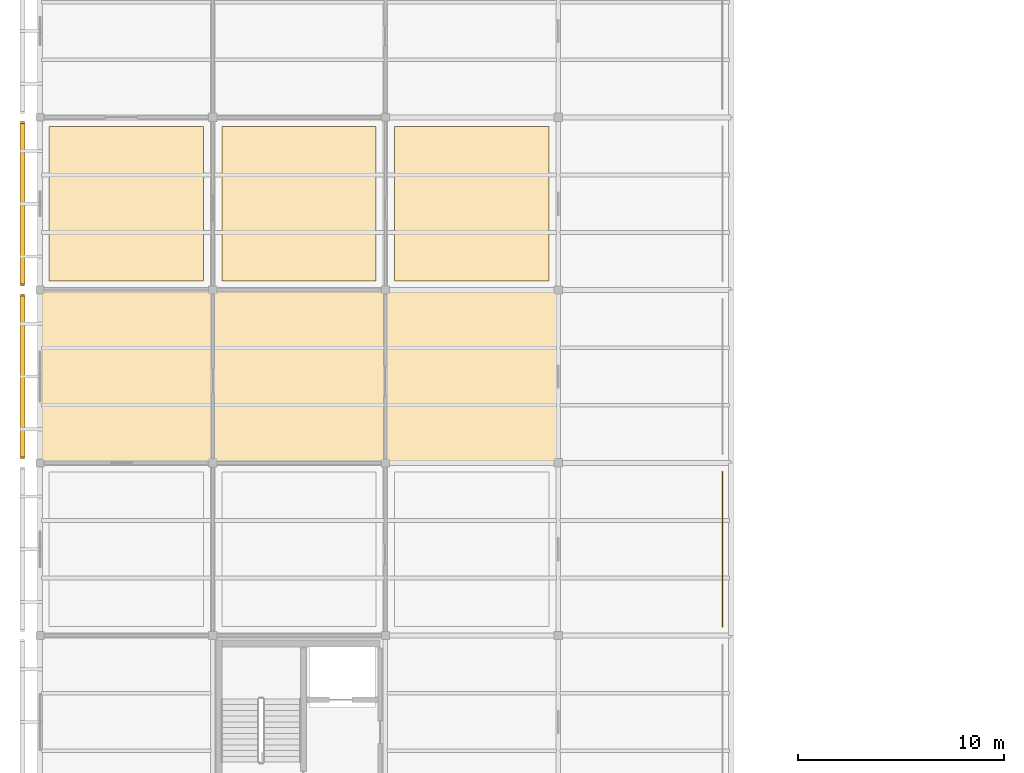
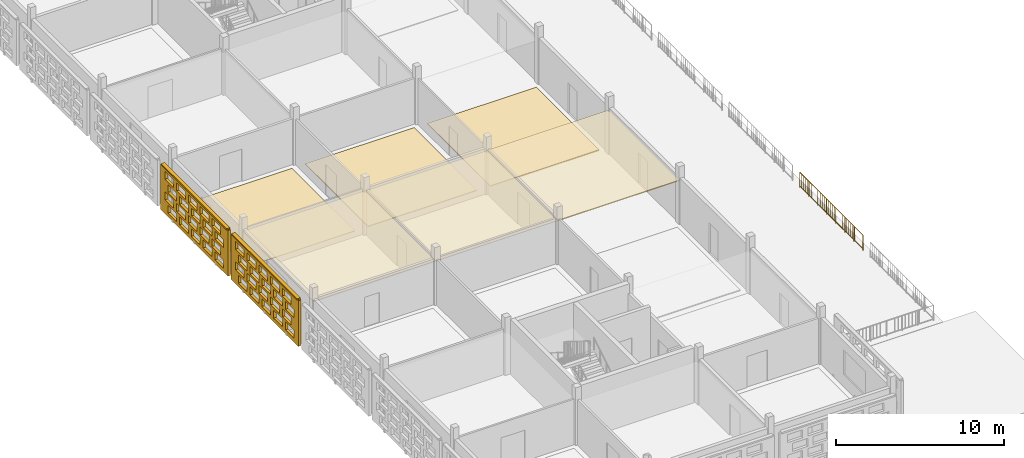
# One storey, part 26 of 31: 8 coverings, 2 shading devices, 1 railing, 40 openings.
"""IFC4 building model written with IfcOpenShell, lengths in metres."""

from ifc_helpers import new_model, si_unit, direction, frame, frame_2d, origin, origin_2d, place, context, subcontext, project, spatial, rectangle, circle, extrude, material, layer, layer_set, type_object, element, save


model = new_model("IFC4")

# Units and contexts
model_context = context("Model", 3, precision=1e-05, world=origin(), true_north=direction((0.0, 1.0)))
body_context = subcontext(model_context, "Body", "Model", "MODEL_VIEW")
ifc_project = project(units=[si_unit("LENGTHUNIT", "METRE"), si_unit("AREAUNIT", "SQUARE_METRE"), si_unit("VOLUMEUNIT", "CUBIC_METRE"), si_unit("PLANEANGLEUNIT", "RADIAN"), si_unit("MASSUNIT", "GRAM", prefix="KILO")], contexts=[model_context])

# Site, building, storey
site_placement = place(None, origin())
site = spatial("IfcSite", under=ifc_project, at=site_placement, CompositionType="ELEMENT")
building_placement = place(site_placement, origin())
building = spatial("IfcBuilding", under=site, at=building_placement, Name="Varnapada Polytechnic", CompositionType="ELEMENT")
storey_placement = place(building_placement, frame((0.0, 0.0, 22.199951171875)))
storey = spatial("IfcBuildingStorey", under=building, at=storey_placement, Name="L05", CompositionType="ELEMENT", Elevation=22.199951171875)

# Coverings
ifc_material_1 = material(Name="Anti-Static Raised Laboratory Flooring")
ifc_layer_1 = layer(ifc_material_1, 0.06005859375)
ifc_layer_set_1 = layer_set([ifc_layer_1], Name="Anti-Static Raised Laboratory Flooring")
covering_type_1 = type_object("IfcCoveringType", Name="Floor Finish FLR-02", PredefinedType="FLOORING", material=ifc_layer_set_1)
covering_1_placement = place(storey_placement, frame((12.60009765625, 88.199951171875, 0.0), z_axis=(0.0, 0.0, 1.0), x_axis=(1.0, 0.0, 0.0)))
element("IfcCovering", 1, at=covering_1_placement, inside=storey, type_object=covering_type_1, Name="L05 floor finish panel (2,11)", PredefinedType="FLOORING", context=body_context, shape_type="SweptSolid", body=[
    extrude(rectangle(XDim=7.5, YDim=7.5, at=origin_2d()), origin(), (0.0, 0.0, 1.0), 0.06005859375),
])
ifc_material_2 = material(Name="End-Grain Timber Studio Block Flooring", Category="wood")
ifc_layer_2 = layer(ifc_material_2, 0.054931640625)
ifc_layer_set_2 = layer_set([ifc_layer_2], Name="End-Grain Timber Studio Block Flooring")
covering_type_2 = type_object("IfcCoveringType", Name="Floor Finish FLR-04", PredefinedType="FLOORING", material=ifc_layer_set_2)
covering_2_placement = place(storey_placement, frame((21.0, 88.199951171875, 0.0), z_axis=(0.0, 0.0, 1.0), x_axis=(1.0, 0.0, 0.0)))
element("IfcCovering", 2, at=covering_2_placement, inside=storey, type_object=covering_type_2, Name="L05 floor finish panel (3,11)", PredefinedType="FLOORING", context=body_context, shape_type="SweptSolid", body=[
    extrude(rectangle(XDim=7.5, YDim=7.5, at=origin_2d()), origin(), (0.0, 0.0, 1.0), 0.054931640625),
])
ifc_material_3 = material(Name="Acoustic Rubber Seminar Flooring")
ifc_layer_3 = layer(ifc_material_3, 0.0400390625)
ifc_layer_set_3 = layer_set([ifc_layer_3], Name="Acoustic Rubber Seminar Flooring")
covering_type_3 = type_object("IfcCoveringType", Name="Floor Finish FLR-06", PredefinedType="FLOORING", material=ifc_layer_set_3)
covering_3_placement = place(storey_placement, frame((4.199951171875, 88.199951171875, 0.0), z_axis=(0.0, 0.0, 1.0), x_axis=(1.0, 0.0, 0.0)))
element("IfcCovering", 3, at=covering_3_placement, inside=storey, type_object=covering_type_3, Name="L05 floor finish panel (1,11)", PredefinedType="FLOORING", context=body_context, shape_type="SweptSolid", body=[
    extrude(rectangle(XDim=7.5, YDim=7.5, at=origin_2d()), origin(), (0.0, 0.0, 1.0), 0.0400390625),
])
ifc_material_4 = material(Name="Slatted Merbau Timber Acoustic Ceiling", Category="wood")
ifc_layer_4 = layer(ifc_material_4, 0.054931640625)
ifc_layer_set_4 = layer_set([ifc_layer_4], Name="Slatted Merbau Timber Acoustic Ceiling")
covering_type_4 = type_object("IfcCoveringType", Name="Suspended Ceiling CLG-05", PredefinedType="CEILING", material=ifc_layer_set_4)
covering_4_placement = place(storey_placement, frame((4.199951171875, 79.800048828125, 3.0224609375), z_axis=(0.0, 0.0, 1.0), x_axis=(1.0, 0.0, 0.0)))
element("IfcCovering", 4, at=covering_4_placement, inside=storey, type_object=covering_type_4, Name="L05 suspended acoustic ceiling (1,10)", PredefinedType="CEILING", context=body_context, shape_type="SweptSolid", body=[
    extrude(rectangle(XDim=8.419921875, YDim=8.419921875, at=origin_2d()), origin(), (0.0, 0.0, 1.0), 0.054931640625),
])
ifc_material_5 = material(Name="Cleanroom Laboratory Metal Pan Ceiling")
ifc_layer_5 = layer(ifc_material_5, 0.034912109375)
ifc_layer_set_5 = layer_set([ifc_layer_5], Name="Cleanroom Laboratory Metal Pan Ceiling")
covering_type_5 = type_object("IfcCoveringType", Name="Suspended Ceiling CLG-06", PredefinedType="CEILING", material=ifc_layer_set_5)
covering_5_placement = place(storey_placement, frame((12.60009765625, 79.800048828125, 3.03271484375), z_axis=(0.0, 0.0, 1.0), x_axis=(1.0, 0.0, 0.0)))
element("IfcCovering", 5, at=covering_5_placement, inside=storey, type_object=covering_type_5, Name="L05 suspended acoustic ceiling (2,10)", PredefinedType="CEILING", context=body_context, shape_type="SweptSolid", body=[
    extrude(rectangle(XDim=8.419921875, YDim=8.419921875, at=origin_2d()), origin(), (0.0, 0.0, 1.0), 0.034912109375),
])
ifc_material_6 = material(Name="Deep Acoustic Auditorium Cloud Baffle")
ifc_layer_6 = layer(ifc_material_6, 0.06494140625)
ifc_layer_set_6 = layer_set([ifc_layer_6], Name="Deep Acoustic Auditorium Cloud Baffle")
covering_type_6 = type_object("IfcCoveringType", Name="Suspended Ceiling CLG-07", PredefinedType="CEILING", material=ifc_layer_set_6)
covering_6_placement = place(storey_placement, frame((21.0, 79.800048828125, 3.017578125), z_axis=(0.0, 0.0, 1.0), x_axis=(1.0, 0.0, 0.0)))
element("IfcCovering", 6, at=covering_6_placement, inside=storey, type_object=covering_type_6, Name="L05 suspended acoustic ceiling (3,10)", PredefinedType="CEILING", context=body_context, shape_type="SweptSolid", body=[
    extrude(rectangle(XDim=8.419921875, YDim=8.419921875, at=origin_2d()), origin(), (0.0, 0.0, 1.0), 0.06494140625),
])

# Railing
ifc_material_7 = material(Name="Painted galvanized steel", Category="steel")
railing_type = type_object("IfcRailingType", Name="Terrace Guard Rail GRD-01", PredefinedType="BALUSTRADE", material=ifc_material_7)
railing_placement = place(storey_placement, frame((33.179931640625, 67.6201171875, 0.0)))
element("IfcRailing", 7, at=railing_placement, inside=storey, type_object=railing_type, Name="L05 terrace perimeter guard rail 3", PredefinedType="BALUSTRADE", context=body_context, shape_type="SweptSolid", body=[
    extrude(circle(Radius=0.02392578125, at=origin_2d()), frame((0.0, 0.0, 1.09619140625), z_axis=(0.0, 1.0, 0.0), x_axis=(-1.0, 0.0, 0.0)), (0.0, 0.0, 1.0), 7.559814453125),
    extrude(circle(Radius=0.02392578125, at=origin_2d()), frame((0.0, 0.0, 0.10009765625), z_axis=(0.0, 1.0, 0.0), x_axis=(-1.0, 0.0, 0.0)), (0.0, 0.0, 1.0), 7.559814453125),
    extrude(circle(Radius=0.02099609375, at=origin_2d()), origin(), (0.0, 0.0, 1.0), 1.072021484375),
    extrude(circle(Radius=0.02099609375, at=origin_2d()), frame((0.0, 1.080078125, 0.0)), (0.0, 0.0, 1.0), 1.072021484375),
    extrude(circle(Radius=0.02099609375, at=origin_2d()), frame((0.0, 2.159912109375, 0.0)), (0.0, 0.0, 1.0), 1.072021484375),
    extrude(circle(Radius=0.02099609375, at=origin_2d()), frame((0.0, 3.239990234375, 0.0)), (0.0, 0.0, 1.0), 1.072021484375),
    extrude(circle(Radius=0.02099609375, at=origin_2d()), frame((0.0, 4.31982421875, 0.0)), (0.0, 0.0, 1.0), 1.072021484375),
    extrude(circle(Radius=0.02099609375, at=origin_2d()), frame((0.0, 5.39990234375, 0.0)), (0.0, 0.0, 1.0), 1.072021484375),
    extrude(circle(Radius=0.02099609375, at=origin_2d()), frame((0.0, 6.479736328125, 0.0)), (0.0, 0.0, 1.0), 1.072021484375),
    extrude(circle(Radius=0.02099609375, at=origin_2d()), frame((0.0, 7.559814453125, 0.0)), (0.0, 0.0, 1.0), 1.072021484375),
    extrude(circle(Radius=0.010009765625, at=origin_2d()), frame((0.0, 0.243896484375, 0.10009765625)), (0.0, 0.0, 1.0), 0.971923828125),
    extrude(circle(Radius=0.010009765625, at=origin_2d()), frame((0.0, 0.48779296875, 0.10009765625)), (0.0, 0.0, 1.0), 0.971923828125),
    extrude(circle(Radius=0.010009765625, at=origin_2d()), frame((0.0, 0.731689453125, 0.10009765625)), (0.0, 0.0, 1.0), 0.971923828125),
    extrude(circle(Radius=0.010009765625, at=origin_2d()), frame((0.0, 0.975341796875, 0.10009765625)), (0.0, 0.0, 1.0), 0.971923828125),
    extrude(circle(Radius=0.010009765625, at=origin_2d()), frame((0.0, 1.21923828125, 0.10009765625)), (0.0, 0.0, 1.0), 0.971923828125),
    extrude(circle(Radius=0.010009765625, at=origin_2d()), frame((0.0, 1.463134765625, 0.10009765625)), (0.0, 0.0, 1.0), 0.971923828125),
    extrude(circle(Radius=0.010009765625, at=origin_2d()), frame((0.0, 1.70703125, 0.10009765625)), (0.0, 0.0, 1.0), 0.971923828125),
    extrude(circle(Radius=0.010009765625, at=origin_2d()), frame((0.0, 1.950927734375, 0.10009765625)), (0.0, 0.0, 1.0), 0.971923828125),
    extrude(circle(Radius=0.010009765625, at=origin_2d()), frame((0.0, 2.19482421875, 0.10009765625)), (0.0, 0.0, 1.0), 0.971923828125),
    extrude(circle(Radius=0.010009765625, at=origin_2d()), frame((0.0, 2.438720703125, 0.10009765625)), (0.0, 0.0, 1.0), 0.971923828125),
    extrude(circle(Radius=0.010009765625, at=origin_2d()), frame((0.0, 2.6826171875, 0.10009765625)), (0.0, 0.0, 1.0), 0.971923828125),
    extrude(circle(Radius=0.010009765625, at=origin_2d()), frame((0.0, 2.92626953125, 0.10009765625)), (0.0, 0.0, 1.0), 0.971923828125),
    extrude(circle(Radius=0.010009765625, at=origin_2d()), frame((0.0, 3.170166015625, 0.10009765625)), (0.0, 0.0, 1.0), 0.971923828125),
    extrude(circle(Radius=0.010009765625, at=origin_2d()), frame((0.0, 3.4140625, 0.10009765625)), (0.0, 0.0, 1.0), 0.971923828125),
    extrude(circle(Radius=0.010009765625, at=origin_2d()), frame((0.0, 3.657958984375, 0.10009765625)), (0.0, 0.0, 1.0), 0.971923828125),
    extrude(circle(Radius=0.010009765625, at=origin_2d()), frame((0.0, 3.90185546875, 0.10009765625)), (0.0, 0.0, 1.0), 0.971923828125),
    extrude(circle(Radius=0.010009765625, at=origin_2d()), frame((0.0, 4.145751953125, 0.10009765625)), (0.0, 0.0, 1.0), 0.971923828125),
    extrude(circle(Radius=0.010009765625, at=origin_2d()), frame((0.0, 4.3896484375, 0.10009765625)), (0.0, 0.0, 1.0), 0.971923828125),
    extrude(circle(Radius=0.010009765625, at=origin_2d()), frame((0.0, 4.633544921875, 0.10009765625)), (0.0, 0.0, 1.0), 0.971923828125),
    extrude(circle(Radius=0.010009765625, at=origin_2d()), frame((0.0, 4.877197265625, 0.10009765625)), (0.0, 0.0, 1.0), 0.971923828125),
    extrude(circle(Radius=0.010009765625, at=origin_2d()), frame((0.0, 5.12109375, 0.10009765625)), (0.0, 0.0, 1.0), 0.971923828125),
    extrude(circle(Radius=0.010009765625, at=origin_2d()), frame((0.0, 5.364990234375, 0.10009765625)), (0.0, 0.0, 1.0), 0.971923828125),
    extrude(circle(Radius=0.010009765625, at=origin_2d()), frame((0.0, 5.60888671875, 0.10009765625)), (0.0, 0.0, 1.0), 0.971923828125),
    extrude(circle(Radius=0.010009765625, at=origin_2d()), frame((0.0, 5.852783203125, 0.10009765625)), (0.0, 0.0, 1.0), 0.971923828125),
    extrude(circle(Radius=0.010009765625, at=origin_2d()), frame((0.0, 6.0966796875, 0.10009765625)), (0.0, 0.0, 1.0), 0.971923828125),
    extrude(circle(Radius=0.010009765625, at=origin_2d()), frame((0.0, 6.340576171875, 0.10009765625)), (0.0, 0.0, 1.0), 0.971923828125),
    extrude(circle(Radius=0.010009765625, at=origin_2d()), frame((0.0, 6.58447265625, 0.10009765625)), (0.0, 0.0, 1.0), 0.971923828125),
    extrude(circle(Radius=0.010009765625, at=origin_2d()), frame((0.0, 6.828125, 0.10009765625)), (0.0, 0.0, 1.0), 0.971923828125),
    extrude(circle(Radius=0.010009765625, at=origin_2d()), frame((0.0, 7.072021484375, 0.10009765625)), (0.0, 0.0, 1.0), 0.971923828125),
    extrude(circle(Radius=0.010009765625, at=origin_2d()), frame((0.0, 7.31591796875, 0.10009765625)), (0.0, 0.0, 1.0), 0.971923828125),
])

# Covering, openings
ifc_material_8 = material(Name="Earth-toned architectural terracotta screen block", Category="masonry")
ifc_layer_7 = layer(ifc_material_8, 0.1201171875)
ifc_layer_set_7 = layer_set([ifc_layer_7], Name="Earth-toned architectural terracotta screen block")
covering_type_7 = type_object("IfcCoveringType", Name="Terracotta Screen Cladding CLD-01", PredefinedType="CLADDING", material=ifc_layer_set_7)
covering_7_placement = place(storey_placement, frame((-0.85009765625, 75.7900390625, 0.0), z_axis=(0.0, 0.0, 1.0), x_axis=(0.0, 1.0, 0.0)))
covering_7 = element("IfcCovering", 8, at=covering_7_placement, inside=storey, type_object=covering_type_7, Name="L05 perforated terracotta block screen (5)", PredefinedType="CLADDING", context=body_context, shape_type="SweptSolid", body=[
    extrude(rectangle(XDim=8.02001953125, YDim=0.179931640625, at=frame_2d((4.010009765625, 0.0))), origin(), (0.0, 0.0, 1.0), 3.320068359375),
])
opening_1_placement = place(covering_7_placement, frame((0.510009765625, 0.0, 0.265625)))
element("IfcOpeningElement", 9, at=opening_1_placement, cuts=covering_7, Name="Screen perforation TBS-L05-004.1", PredefinedType="OPENING", context=body_context, shape_type="SweptSolid", body=[
    extrude(rectangle(XDim=1.0400390625, YDim=0.5810546875, at=frame_2d((0.52001953125, 0.29052734375))), frame((0.0, 0.099853515625, 0.0), z_axis=(0.0, -1.0, 0.0), x_axis=(1.0, 0.0, 0.0)), (0.0, 0.0, 1.0), 0.199951171875),
])
opening_2_placement = place(covering_7_placement, frame((1.909912109375, 0.0, 0.265625)))
element("IfcOpeningElement", 10, at=opening_2_placement, cuts=covering_7, Name="Screen perforation TBS-L05-004.2", PredefinedType="OPENING", context=body_context, shape_type="SweptSolid", body=[
    extrude(rectangle(XDim=1.0400390625, YDim=0.5810546875, at=frame_2d((0.52001953125, 0.29052734375))), frame((0.0, 0.099853515625, 0.0), z_axis=(0.0, -1.0, 0.0), x_axis=(1.0, 0.0, 0.0)), (0.0, 0.0, 1.0), 0.199951171875),
])
opening_3_placement = place(covering_7_placement, frame((3.31005859375, 0.0, 0.265625)))
element("IfcOpeningElement", 11, at=opening_3_placement, cuts=covering_7, Name="Screen perforation TBS-L05-004.3", PredefinedType="OPENING", context=body_context, shape_type="SweptSolid", body=[
    extrude(rectangle(XDim=1.0400390625, YDim=0.5810546875, at=frame_2d((0.52001953125, 0.29052734375))), frame((0.0, 0.099853515625, 0.0), z_axis=(0.0, -1.0, 0.0), x_axis=(1.0, 0.0, 0.0)), (0.0, 0.0, 1.0), 0.199951171875),
])
opening_4_placement = place(covering_7_placement, frame((4.7099609375, 0.0, 0.265625)))
element("IfcOpeningElement", 12, at=opening_4_placement, cuts=covering_7, Name="Screen perforation TBS-L05-004.4", PredefinedType="OPENING", context=body_context, shape_type="SweptSolid", body=[
    extrude(rectangle(XDim=1.0400390625, YDim=0.5810546875, at=frame_2d((0.52001953125, 0.29052734375))), frame((0.0, 0.099853515625, 0.0), z_axis=(0.0, -1.0, 0.0), x_axis=(1.0, 0.0, 0.0)), (0.0, 0.0, 1.0), 0.199951171875),
])
opening_5_placement = place(covering_7_placement, frame((6.110107421875, 0.0, 0.265625)))
element("IfcOpeningElement", 13, at=opening_5_placement, cuts=covering_7, Name="Screen perforation TBS-L05-004.5", PredefinedType="OPENING", context=body_context, shape_type="SweptSolid", body=[
    extrude(rectangle(XDim=1.0400390625, YDim=0.5810546875, at=frame_2d((0.52001953125, 0.29052734375))), frame((0.0, 0.099853515625, 0.0), z_axis=(0.0, -1.0, 0.0), x_axis=(1.0, 0.0, 0.0)), (0.0, 0.0, 1.0), 0.199951171875),
])
opening_6_placement = place(covering_7_placement, frame((0.8701171875, 0.0, 1.0126953125)))
element("IfcOpeningElement", 14, at=opening_6_placement, cuts=covering_7, Name="Screen perforation TBS-L05-004.6", PredefinedType="OPENING", context=body_context, shape_type="SweptSolid", body=[
    extrude(rectangle(XDim=1.0400390625, YDim=0.5810546875, at=frame_2d((0.52001953125, 0.29052734375))), frame((0.0, 0.099853515625, 0.0), z_axis=(0.0, -1.0, 0.0), x_axis=(1.0, 0.0, 0.0)), (0.0, 0.0, 1.0), 0.199951171875),
])
opening_7_placement = place(covering_7_placement, frame((2.27001953125, 0.0, 1.0126953125)))
element("IfcOpeningElement", 15, at=opening_7_placement, cuts=covering_7, Name="Screen perforation TBS-L05-004.7", PredefinedType="OPENING", context=body_context, shape_type="SweptSolid", body=[
    extrude(rectangle(XDim=1.0400390625, YDim=0.5810546875, at=frame_2d((0.52001953125, 0.29052734375))), frame((0.0, 0.099853515625, 0.0), z_axis=(0.0, -1.0, 0.0), x_axis=(1.0, 0.0, 0.0)), (0.0, 0.0, 1.0), 0.199951171875),
])
opening_8_placement = place(covering_7_placement, frame((3.669921875, 0.0, 1.0126953125)))
element("IfcOpeningElement", 16, at=opening_8_placement, cuts=covering_7, Name="Screen perforation TBS-L05-004.8", PredefinedType="OPENING", context=body_context, shape_type="SweptSolid", body=[
    extrude(rectangle(XDim=1.0400390625, YDim=0.5810546875, at=frame_2d((0.52001953125, 0.29052734375))), frame((0.0, 0.099853515625, 0.0), z_axis=(0.0, -1.0, 0.0), x_axis=(1.0, 0.0, 0.0)), (0.0, 0.0, 1.0), 0.199951171875),
])
opening_9_placement = place(covering_7_placement, frame((5.070068359375, 0.0, 1.0126953125)))
element("IfcOpeningElement", 17, at=opening_9_placement, cuts=covering_7, Name="Screen perforation TBS-L05-004.9", PredefinedType="OPENING", context=body_context, shape_type="SweptSolid", body=[
    extrude(rectangle(XDim=1.0400390625, YDim=0.5810546875, at=frame_2d((0.52001953125, 0.29052734375))), frame((0.0, 0.099853515625, 0.0), z_axis=(0.0, -1.0, 0.0), x_axis=(1.0, 0.0, 0.0)), (0.0, 0.0, 1.0), 0.199951171875),
])
opening_10_placement = place(covering_7_placement, frame((6.469970703125, 0.0, 1.0126953125)))
element("IfcOpeningElement", 18, at=opening_10_placement, cuts=covering_7, Name="Screen perforation TBS-L05-004.10", PredefinedType="OPENING", context=body_context, shape_type="SweptSolid", body=[
    extrude(rectangle(XDim=1.0400390625, YDim=0.5810546875, at=frame_2d((0.52001953125, 0.29052734375))), frame((0.0, 0.099853515625, 0.0), z_axis=(0.0, -1.0, 0.0), x_axis=(1.0, 0.0, 0.0)), (0.0, 0.0, 1.0), 0.199951171875),
])
opening_11_placement = place(covering_7_placement, frame((0.510009765625, 0.0, 1.759521484375)))
element("IfcOpeningElement", 19, at=opening_11_placement, cuts=covering_7, Name="Screen perforation TBS-L05-004.11", PredefinedType="OPENING", context=body_context, shape_type="SweptSolid", body=[
    extrude(rectangle(XDim=1.0400390625, YDim=0.5810546875, at=frame_2d((0.52001953125, 0.29052734375))), frame((0.0, 0.099853515625, 0.0), z_axis=(0.0, -1.0, 0.0), x_axis=(1.0, 0.0, 0.0)), (0.0, 0.0, 1.0), 0.199951171875),
])
opening_12_placement = place(covering_7_placement, frame((1.909912109375, 0.0, 1.759521484375)))
element("IfcOpeningElement", 20, at=opening_12_placement, cuts=covering_7, Name="Screen perforation TBS-L05-004.12", PredefinedType="OPENING", context=body_context, shape_type="SweptSolid", body=[
    extrude(rectangle(XDim=1.0400390625, YDim=0.5810546875, at=frame_2d((0.52001953125, 0.29052734375))), frame((0.0, 0.099853515625, 0.0), z_axis=(0.0, -1.0, 0.0), x_axis=(1.0, 0.0, 0.0)), (0.0, 0.0, 1.0), 0.199951171875),
])
opening_13_placement = place(covering_7_placement, frame((3.31005859375, 0.0, 1.759521484375)))
element("IfcOpeningElement", 21, at=opening_13_placement, cuts=covering_7, Name="Screen perforation TBS-L05-004.13", PredefinedType="OPENING", context=body_context, shape_type="SweptSolid", body=[
    extrude(rectangle(XDim=1.0400390625, YDim=0.5810546875, at=frame_2d((0.52001953125, 0.29052734375))), frame((0.0, 0.099853515625, 0.0), z_axis=(0.0, -1.0, 0.0), x_axis=(1.0, 0.0, 0.0)), (0.0, 0.0, 1.0), 0.199951171875),
])
opening_14_placement = place(covering_7_placement, frame((4.7099609375, 0.0, 1.759521484375)))
element("IfcOpeningElement", 22, at=opening_14_placement, cuts=covering_7, Name="Screen perforation TBS-L05-004.14", PredefinedType="OPENING", context=body_context, shape_type="SweptSolid", body=[
    extrude(rectangle(XDim=1.0400390625, YDim=0.5810546875, at=frame_2d((0.52001953125, 0.29052734375))), frame((0.0, 0.099853515625, 0.0), z_axis=(0.0, -1.0, 0.0), x_axis=(1.0, 0.0, 0.0)), (0.0, 0.0, 1.0), 0.199951171875),
])
opening_15_placement = place(covering_7_placement, frame((6.110107421875, 0.0, 1.759521484375)))
element("IfcOpeningElement", 23, at=opening_15_placement, cuts=covering_7, Name="Screen perforation TBS-L05-004.15", PredefinedType="OPENING", context=body_context, shape_type="SweptSolid", body=[
    extrude(rectangle(XDim=1.0400390625, YDim=0.5810546875, at=frame_2d((0.52001953125, 0.29052734375))), frame((0.0, 0.099853515625, 0.0), z_axis=(0.0, -1.0, 0.0), x_axis=(1.0, 0.0, 0.0)), (0.0, 0.0, 1.0), 0.199951171875),
])
opening_16_placement = place(covering_7_placement, frame((0.8701171875, 0.0, 2.506591796875)))
element("IfcOpeningElement", 24, at=opening_16_placement, cuts=covering_7, Name="Screen perforation TBS-L05-004.16", PredefinedType="OPENING", context=body_context, shape_type="SweptSolid", body=[
    extrude(rectangle(XDim=1.0400390625, YDim=0.5810546875, at=frame_2d((0.52001953125, 0.29052734375))), frame((0.0, 0.099853515625, 0.0), z_axis=(0.0, -1.0, 0.0), x_axis=(1.0, 0.0, 0.0)), (0.0, 0.0, 1.0), 0.199951171875),
])
opening_17_placement = place(covering_7_placement, frame((2.27001953125, 0.0, 2.506591796875)))
element("IfcOpeningElement", 25, at=opening_17_placement, cuts=covering_7, Name="Screen perforation TBS-L05-004.17", PredefinedType="OPENING", context=body_context, shape_type="SweptSolid", body=[
    extrude(rectangle(XDim=1.0400390625, YDim=0.5810546875, at=frame_2d((0.52001953125, 0.29052734375))), frame((0.0, 0.099853515625, 0.0), z_axis=(0.0, -1.0, 0.0), x_axis=(1.0, 0.0, 0.0)), (0.0, 0.0, 1.0), 0.199951171875),
])
opening_18_placement = place(covering_7_placement, frame((3.669921875, 0.0, 2.506591796875)))
element("IfcOpeningElement", 26, at=opening_18_placement, cuts=covering_7, Name="Screen perforation TBS-L05-004.18", PredefinedType="OPENING", context=body_context, shape_type="SweptSolid", body=[
    extrude(rectangle(XDim=1.0400390625, YDim=0.5810546875, at=frame_2d((0.52001953125, 0.29052734375))), frame((0.0, 0.099853515625, 0.0), z_axis=(0.0, -1.0, 0.0), x_axis=(1.0, 0.0, 0.0)), (0.0, 0.0, 1.0), 0.199951171875),
])
opening_19_placement = place(covering_7_placement, frame((5.070068359375, 0.0, 2.506591796875)))
element("IfcOpeningElement", 27, at=opening_19_placement, cuts=covering_7, Name="Screen perforation TBS-L05-004.19", PredefinedType="OPENING", context=body_context, shape_type="SweptSolid", body=[
    extrude(rectangle(XDim=1.0400390625, YDim=0.5810546875, at=frame_2d((0.52001953125, 0.29052734375))), frame((0.0, 0.099853515625, 0.0), z_axis=(0.0, -1.0, 0.0), x_axis=(1.0, 0.0, 0.0)), (0.0, 0.0, 1.0), 0.199951171875),
])
opening_20_placement = place(covering_7_placement, frame((6.469970703125, 0.0, 2.506591796875)))
element("IfcOpeningElement", 28, at=opening_20_placement, cuts=covering_7, Name="Screen perforation TBS-L05-004.20", PredefinedType="OPENING", context=body_context, shape_type="SweptSolid", body=[
    extrude(rectangle(XDim=1.0400390625, YDim=0.5810546875, at=frame_2d((0.52001953125, 0.29052734375))), frame((0.0, 0.099853515625, 0.0), z_axis=(0.0, -1.0, 0.0), x_axis=(1.0, 0.0, 0.0)), (0.0, 0.0, 1.0), 0.199951171875),
])

covering_8_placement = place(storey_placement, frame((-0.85009765625, 84.18994140625, 0.0), z_axis=(0.0, 0.0, 1.0), x_axis=(0.0, 1.0, 0.0)))
covering_8 = element("IfcCovering", 29, at=covering_8_placement, inside=storey, type_object=covering_type_7, Name="L05 perforated terracotta block screen (6)", PredefinedType="CLADDING", context=body_context, shape_type="SweptSolid", body=[
    extrude(rectangle(XDim=8.02001953125, YDim=0.179931640625, at=frame_2d((4.010009765625, 0.0))), origin(), (0.0, 0.0, 1.0), 3.320068359375),
])
opening_21_placement = place(covering_8_placement, frame((0.510009765625, 0.0, 0.265625)))
element("IfcOpeningElement", 30, at=opening_21_placement, cuts=covering_8, Name="Screen perforation TBS-L05-005.1", PredefinedType="OPENING", context=body_context, shape_type="SweptSolid", body=[
    extrude(rectangle(XDim=1.0400390625, YDim=0.5810546875, at=frame_2d((0.52001953125, 0.29052734375))), frame((0.0, 0.099853515625, 0.0), z_axis=(0.0, -1.0, 0.0), x_axis=(1.0, 0.0, 0.0)), (0.0, 0.0, 1.0), 0.199951171875),
])
opening_22_placement = place(covering_8_placement, frame((1.909912109375, 0.0, 0.265625)))
element("IfcOpeningElement", 31, at=opening_22_placement, cuts=covering_8, Name="Screen perforation TBS-L05-005.2", PredefinedType="OPENING", context=body_context, shape_type="SweptSolid", body=[
    extrude(rectangle(XDim=1.0400390625, YDim=0.5810546875, at=frame_2d((0.52001953125, 0.29052734375))), frame((0.0, 0.099853515625, 0.0), z_axis=(0.0, -1.0, 0.0), x_axis=(1.0, 0.0, 0.0)), (0.0, 0.0, 1.0), 0.199951171875),
])
opening_23_placement = place(covering_8_placement, frame((3.31005859375, 0.0, 0.265625)))
element("IfcOpeningElement", 32, at=opening_23_placement, cuts=covering_8, Name="Screen perforation TBS-L05-005.3", PredefinedType="OPENING", context=body_context, shape_type="SweptSolid", body=[
    extrude(rectangle(XDim=1.0400390625, YDim=0.5810546875, at=frame_2d((0.52001953125, 0.29052734375))), frame((0.0, 0.099853515625, 0.0), z_axis=(0.0, -1.0, 0.0), x_axis=(1.0, 0.0, 0.0)), (0.0, 0.0, 1.0), 0.199951171875),
])
opening_24_placement = place(covering_8_placement, frame((4.7099609375, 0.0, 0.265625)))
element("IfcOpeningElement", 33, at=opening_24_placement, cuts=covering_8, Name="Screen perforation TBS-L05-005.4", PredefinedType="OPENING", context=body_context, shape_type="SweptSolid", body=[
    extrude(rectangle(XDim=1.0400390625, YDim=0.5810546875, at=frame_2d((0.52001953125, 0.29052734375))), frame((0.0, 0.099853515625, 0.0), z_axis=(0.0, -1.0, 0.0), x_axis=(1.0, 0.0, 0.0)), (0.0, 0.0, 1.0), 0.199951171875),
])
opening_25_placement = place(covering_8_placement, frame((6.110107421875, 0.0, 0.265625)))
element("IfcOpeningElement", 34, at=opening_25_placement, cuts=covering_8, Name="Screen perforation TBS-L05-005.5", PredefinedType="OPENING", context=body_context, shape_type="SweptSolid", body=[
    extrude(rectangle(XDim=1.0400390625, YDim=0.5810546875, at=frame_2d((0.52001953125, 0.29052734375))), frame((0.0, 0.099853515625, 0.0), z_axis=(0.0, -1.0, 0.0), x_axis=(1.0, 0.0, 0.0)), (0.0, 0.0, 1.0), 0.199951171875),
])
opening_26_placement = place(covering_8_placement, frame((0.8701171875, 0.0, 1.0126953125)))
element("IfcOpeningElement", 35, at=opening_26_placement, cuts=covering_8, Name="Screen perforation TBS-L05-005.6", PredefinedType="OPENING", context=body_context, shape_type="SweptSolid", body=[
    extrude(rectangle(XDim=1.0400390625, YDim=0.5810546875, at=frame_2d((0.52001953125, 0.29052734375))), frame((0.0, 0.099853515625, 0.0), z_axis=(0.0, -1.0, 0.0), x_axis=(1.0, 0.0, 0.0)), (0.0, 0.0, 1.0), 0.199951171875),
])
opening_27_placement = place(covering_8_placement, frame((2.27001953125, 0.0, 1.0126953125)))
element("IfcOpeningElement", 36, at=opening_27_placement, cuts=covering_8, Name="Screen perforation TBS-L05-005.7", PredefinedType="OPENING", context=body_context, shape_type="SweptSolid", body=[
    extrude(rectangle(XDim=1.0400390625, YDim=0.5810546875, at=frame_2d((0.52001953125, 0.29052734375))), frame((0.0, 0.099853515625, 0.0), z_axis=(0.0, -1.0, 0.0), x_axis=(1.0, 0.0, 0.0)), (0.0, 0.0, 1.0), 0.199951171875),
])
opening_28_placement = place(covering_8_placement, frame((3.669921875, 0.0, 1.0126953125)))
element("IfcOpeningElement", 37, at=opening_28_placement, cuts=covering_8, Name="Screen perforation TBS-L05-005.8", PredefinedType="OPENING", context=body_context, shape_type="SweptSolid", body=[
    extrude(rectangle(XDim=1.0400390625, YDim=0.5810546875, at=frame_2d((0.52001953125, 0.29052734375))), frame((0.0, 0.099853515625, 0.0), z_axis=(0.0, -1.0, 0.0), x_axis=(1.0, 0.0, 0.0)), (0.0, 0.0, 1.0), 0.199951171875),
])
opening_29_placement = place(covering_8_placement, frame((5.070068359375, 0.0, 1.0126953125)))
element("IfcOpeningElement", 38, at=opening_29_placement, cuts=covering_8, Name="Screen perforation TBS-L05-005.9", PredefinedType="OPENING", context=body_context, shape_type="SweptSolid", body=[
    extrude(rectangle(XDim=1.0400390625, YDim=0.5810546875, at=frame_2d((0.52001953125, 0.29052734375))), frame((0.0, 0.099853515625, 0.0), z_axis=(0.0, -1.0, 0.0), x_axis=(1.0, 0.0, 0.0)), (0.0, 0.0, 1.0), 0.199951171875),
])
opening_30_placement = place(covering_8_placement, frame((6.469970703125, 0.0, 1.0126953125)))
element("IfcOpeningElement", 39, at=opening_30_placement, cuts=covering_8, Name="Screen perforation TBS-L05-005.10", PredefinedType="OPENING", context=body_context, shape_type="SweptSolid", body=[
    extrude(rectangle(XDim=1.0400390625, YDim=0.5810546875, at=frame_2d((0.52001953125, 0.29052734375))), frame((0.0, 0.099853515625, 0.0), z_axis=(0.0, -1.0, 0.0), x_axis=(1.0, 0.0, 0.0)), (0.0, 0.0, 1.0), 0.199951171875),
])
opening_31_placement = place(covering_8_placement, frame((0.510009765625, 0.0, 1.759521484375)))
element("IfcOpeningElement", 40, at=opening_31_placement, cuts=covering_8, Name="Screen perforation TBS-L05-005.11", PredefinedType="OPENING", context=body_context, shape_type="SweptSolid", body=[
    extrude(rectangle(XDim=1.0400390625, YDim=0.5810546875, at=frame_2d((0.52001953125, 0.29052734375))), frame((0.0, 0.099853515625, 0.0), z_axis=(0.0, -1.0, 0.0), x_axis=(1.0, 0.0, 0.0)), (0.0, 0.0, 1.0), 0.199951171875),
])
opening_32_placement = place(covering_8_placement, frame((1.909912109375, 0.0, 1.759521484375)))
element("IfcOpeningElement", 41, at=opening_32_placement, cuts=covering_8, Name="Screen perforation TBS-L05-005.12", PredefinedType="OPENING", context=body_context, shape_type="SweptSolid", body=[
    extrude(rectangle(XDim=1.0400390625, YDim=0.5810546875, at=frame_2d((0.52001953125, 0.29052734375))), frame((0.0, 0.099853515625, 0.0), z_axis=(0.0, -1.0, 0.0), x_axis=(1.0, 0.0, 0.0)), (0.0, 0.0, 1.0), 0.199951171875),
])
opening_33_placement = place(covering_8_placement, frame((3.31005859375, 0.0, 1.759521484375)))
element("IfcOpeningElement", 42, at=opening_33_placement, cuts=covering_8, Name="Screen perforation TBS-L05-005.13", PredefinedType="OPENING", context=body_context, shape_type="SweptSolid", body=[
    extrude(rectangle(XDim=1.0400390625, YDim=0.5810546875, at=frame_2d((0.52001953125, 0.29052734375))), frame((0.0, 0.099853515625, 0.0), z_axis=(0.0, -1.0, 0.0), x_axis=(1.0, 0.0, 0.0)), (0.0, 0.0, 1.0), 0.199951171875),
])
opening_34_placement = place(covering_8_placement, frame((4.7099609375, 0.0, 1.759521484375)))
element("IfcOpeningElement", 43, at=opening_34_placement, cuts=covering_8, Name="Screen perforation TBS-L05-005.14", PredefinedType="OPENING", context=body_context, shape_type="SweptSolid", body=[
    extrude(rectangle(XDim=1.0400390625, YDim=0.5810546875, at=frame_2d((0.52001953125, 0.29052734375))), frame((0.0, 0.099853515625, 0.0), z_axis=(0.0, -1.0, 0.0), x_axis=(1.0, 0.0, 0.0)), (0.0, 0.0, 1.0), 0.199951171875),
])
opening_35_placement = place(covering_8_placement, frame((6.110107421875, 0.0, 1.759521484375)))
element("IfcOpeningElement", 44, at=opening_35_placement, cuts=covering_8, Name="Screen perforation TBS-L05-005.15", PredefinedType="OPENING", context=body_context, shape_type="SweptSolid", body=[
    extrude(rectangle(XDim=1.0400390625, YDim=0.5810546875, at=frame_2d((0.52001953125, 0.29052734375))), frame((0.0, 0.099853515625, 0.0), z_axis=(0.0, -1.0, 0.0), x_axis=(1.0, 0.0, 0.0)), (0.0, 0.0, 1.0), 0.199951171875),
])
opening_36_placement = place(covering_8_placement, frame((0.8701171875, 0.0, 2.506591796875)))
element("IfcOpeningElement", 45, at=opening_36_placement, cuts=covering_8, Name="Screen perforation TBS-L05-005.16", PredefinedType="OPENING", context=body_context, shape_type="SweptSolid", body=[
    extrude(rectangle(XDim=1.0400390625, YDim=0.5810546875, at=frame_2d((0.52001953125, 0.29052734375))), frame((0.0, 0.099853515625, 0.0), z_axis=(0.0, -1.0, 0.0), x_axis=(1.0, 0.0, 0.0)), (0.0, 0.0, 1.0), 0.199951171875),
])
opening_37_placement = place(covering_8_placement, frame((2.27001953125, 0.0, 2.506591796875)))
element("IfcOpeningElement", 46, at=opening_37_placement, cuts=covering_8, Name="Screen perforation TBS-L05-005.17", PredefinedType="OPENING", context=body_context, shape_type="SweptSolid", body=[
    extrude(rectangle(XDim=1.0400390625, YDim=0.5810546875, at=frame_2d((0.52001953125, 0.29052734375))), frame((0.0, 0.099853515625, 0.0), z_axis=(0.0, -1.0, 0.0), x_axis=(1.0, 0.0, 0.0)), (0.0, 0.0, 1.0), 0.199951171875),
])
opening_38_placement = place(covering_8_placement, frame((3.669921875, 0.0, 2.506591796875)))
element("IfcOpeningElement", 47, at=opening_38_placement, cuts=covering_8, Name="Screen perforation TBS-L05-005.18", PredefinedType="OPENING", context=body_context, shape_type="SweptSolid", body=[
    extrude(rectangle(XDim=1.0400390625, YDim=0.5810546875, at=frame_2d((0.52001953125, 0.29052734375))), frame((0.0, 0.099853515625, 0.0), z_axis=(0.0, -1.0, 0.0), x_axis=(1.0, 0.0, 0.0)), (0.0, 0.0, 1.0), 0.199951171875),
])
opening_39_placement = place(covering_8_placement, frame((5.070068359375, 0.0, 2.506591796875)))
element("IfcOpeningElement", 48, at=opening_39_placement, cuts=covering_8, Name="Screen perforation TBS-L05-005.19", PredefinedType="OPENING", context=body_context, shape_type="SweptSolid", body=[
    extrude(rectangle(XDim=1.0400390625, YDim=0.5810546875, at=frame_2d((0.52001953125, 0.29052734375))), frame((0.0, 0.099853515625, 0.0), z_axis=(0.0, -1.0, 0.0), x_axis=(1.0, 0.0, 0.0)), (0.0, 0.0, 1.0), 0.199951171875),
])
opening_40_placement = place(covering_8_placement, frame((6.469970703125, 0.0, 2.506591796875)))
element("IfcOpeningElement", 49, at=opening_40_placement, cuts=covering_8, Name="Screen perforation TBS-L05-005.20", PredefinedType="OPENING", context=body_context, shape_type="SweptSolid", body=[
    extrude(rectangle(XDim=1.0400390625, YDim=0.5810546875, at=frame_2d((0.52001953125, 0.29052734375))), frame((0.0, 0.099853515625, 0.0), z_axis=(0.0, -1.0, 0.0), x_axis=(1.0, 0.0, 0.0)), (0.0, 0.0, 1.0), 0.199951171875),
])

# Shading devices
ifc_layer_8 = layer(ifc_material_8, 0.179931640625)
ifc_layer_set_8 = layer_set([ifc_layer_8], Name="Earth-toned architectural terracotta screen block")
shading_device_type = type_object("IfcShadingDeviceType", Name="Terracotta Screen SCR-01", PredefinedType="USERDEFINED", material=ifc_layer_set_8)
for number, where, z_axis, x_axis, name in (
    (50, (-0.85009765625, 79.800048828125, 3.31005859375), (0.0, 0.0, 1.0), (0.0, 1.0, 0.0), "L05 perforated terracotta screen hood 480"),
    (51, (-0.85009765625, 88.199951171875, 3.31005859375), (0.0, 0.0, 1.0), (0.0, 1.0, 0.0), "L05 perforated terracotta screen hood 481"),
):
    element("IfcShadingDevice", number, at=place(storey_placement, frame(where, z_axis=z_axis, x_axis=x_axis)), inside=storey, type_object=shading_device_type, Name=name, ObjectType="SCREEN", PredefinedType="USERDEFINED", context=body_context, shape_type="SweptSolid", body=[
        extrude(rectangle(XDim=7.820068359375, YDim=0.239990234375, at=origin_2d()), origin(), (0.0, 0.0, 1.0), 0.10009765625),
    ])

save(model, "model.ifc")
